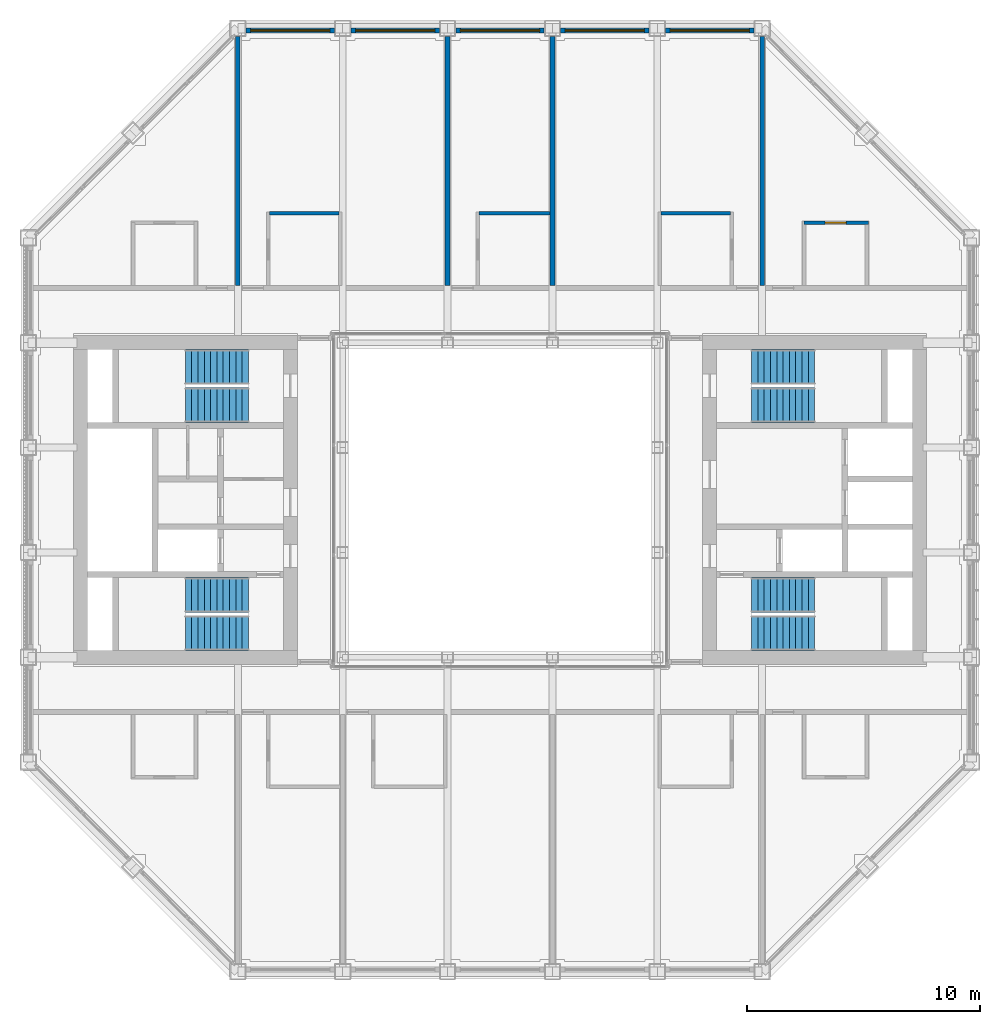
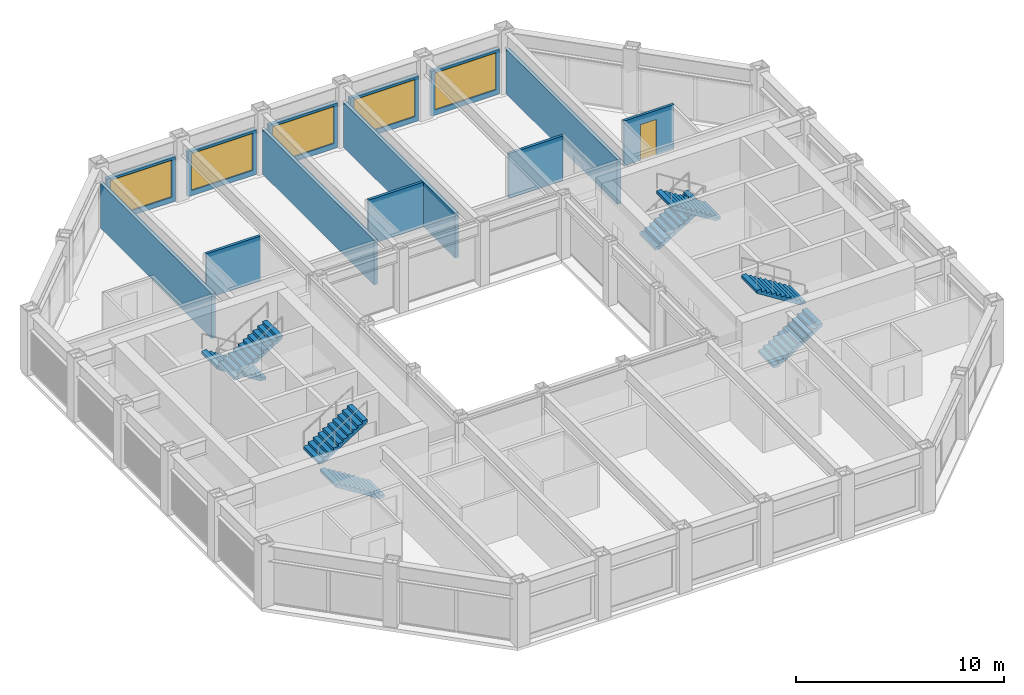
# One storey, part 12 of 16: 13 walls, 8 stair flights, 5 windows, 1 door, 6 openings, 4 elements without a shape of their own.
"""IFC4 building model written with IfcOpenShell, lengths in metres."""

from ifc_helpers import new_model, si_unit, direction, frame, frame_2d, origin, place, context, subcontext, project, spatial, polyline, rectangle, outline, extrude, material, layer, layer_set, type_object, element, fill, aggregate, save


model = new_model("IFC4")

# Units and contexts
model_context = context("Model", 3, precision=1e-05, world=origin(), true_north=direction((0.0, 1.0)))
body_context = subcontext(model_context, "Body", "Model", "MODEL_VIEW")
ifc_project = project(units=[si_unit("LENGTHUNIT", "METRE"), si_unit("AREAUNIT", "SQUARE_METRE"), si_unit("VOLUMEUNIT", "CUBIC_METRE"), si_unit("PLANEANGLEUNIT", "RADIAN"), si_unit("MASSUNIT", "GRAM", prefix="KILO")], contexts=[model_context])

# Site, building, storey
site_placement = place(None, origin())
site = spatial("IfcSite", under=ifc_project, at=site_placement, CompositionType="ELEMENT")
building_placement = place(site_placement, origin())
building = spatial("IfcBuilding", under=site, at=building_placement, Name="Msasa Ring Tower", CompositionType="ELEMENT")
storey_placement = place(building_placement, frame((0.0, 0.0, 215.800048828125)))
storey = spatial("IfcBuildingStorey", under=building, at=storey_placement, Name="L56", CompositionType="ELEMENT", Elevation=215.800048828125)

# Wall, opening, window
ifc_material_1 = material(Name="Terracotta rainscreen on blockwork", Category="masonry")
ifc_layer_1 = layer(ifc_material_1, 0.199951171875)
ifc_layer_set_1 = layer_set([ifc_layer_1], Name="FW1 TERRACOTTA-LINED INFILL BAY WALL 200")
wall_type_1 = type_object("IfcWallType", Name="FW1 TERRACOTTA-LINED INFILL BAY WALL 200", PredefinedType="SOLIDWALL", material=ifc_layer_set_1)
wall_1_placement = place(storey_placement, frame((-10.89501953125, 20.14990234375, 0.0), z_axis=(0.0, 0.0, 1.0), x_axis=(1.0, 0.0, 0.0)))
wall_1 = element("IfcWall", 1, at=wall_1_placement, inside=storey, type_object=wall_type_1, Name="Infill bay wall N L56 14", PredefinedType="SOLIDWALL", context=body_context, shape_type="SweptSolid", body=[
    extrude(rectangle(XDim=3.7900390625, YDim=0.199951171875, at=frame_2d((1.89501953125, 0.0))), origin(), (0.0, 0.0, 1.0), 2.62890625),
])
opening_1_placement = place(wall_1_placement, frame((0.195068359375, 0.0, 0.300048828125)))
opening_1 = element("IfcOpeningElement", 2, at=opening_1_placement, cuts=wall_1, Name="Opening WN3", PredefinedType="OPENING", context=body_context, shape_type="SweptSolid", body=[
    extrude(rectangle(XDim=3.39990234375, YDim=2.178955078125, at=frame_2d((1.699951171875, 1.08935546875))), frame((0.0, 0.10986328125, 0.0), z_axis=(0.0, -1.0, 0.0), x_axis=(1.0, 0.0, 0.0)), (0.0, 0.0, 1.0), 0.219970703125),
])
ifc_material_2 = material(Name="Aluminium frame with clear glass", Category="aluminium")
window_type = type_object("IfcWindowType", Name="WN3 SUITE WINDOW 3400x2179", PartitioningType="SINGLE_PANEL", PredefinedType="WINDOW", material=ifc_material_2)
window_1_placement = place(opening_1_placement, origin())
window_1 = element("IfcWindow", 3, at=window_1_placement, inside=storey, type_object=window_type, Name="Window N L56 14", OverallHeight=2.178955078125, OverallWidth=3.39990234375, PartitioningType="SINGLE_PANEL", PredefinedType="WINDOW", context=body_context, shape_type="SweptSolid", body=[
    extrude(rectangle(XDim=3.39990234375, YDim=2.178955078125, at=frame_2d((1.699951171875, 1.08935546875))), frame((0.0, 0.030029296875, 0.0), z_axis=(0.0, -1.0, 0.0), x_axis=(1.0, 0.0, 0.0)), (0.0, 0.0, 1.0), 0.06005859375),
])
fill(opening_1, window_1)

wall_2_placement = place(storey_placement, frame((-6.39501953125, 20.14990234375, 0.0), z_axis=(0.0, 0.0, 1.0), x_axis=(1.0, 0.0, 0.0)))
wall_2 = element("IfcWall", 4, at=wall_2_placement, inside=storey, type_object=wall_type_1, Name="Infill bay wall N L56 15", PredefinedType="SOLIDWALL", context=body_context, shape_type="SweptSolid", body=[
    extrude(rectangle(XDim=3.7900390625, YDim=0.199951171875, at=frame_2d((1.89501953125, 0.0))), origin(), (0.0, 0.0, 1.0), 2.62890625),
])
opening_2_placement = place(wall_2_placement, frame((0.195068359375, 0.0, 0.300048828125)))
opening_2 = element("IfcOpeningElement", 5, at=opening_2_placement, cuts=wall_2, Name="Opening WN3", PredefinedType="OPENING", context=body_context, shape_type="SweptSolid", body=[
    extrude(rectangle(XDim=3.39990234375, YDim=2.178955078125, at=frame_2d((1.699951171875, 1.08935546875))), frame((0.0, 0.10986328125, 0.0), z_axis=(0.0, -1.0, 0.0), x_axis=(1.0, 0.0, 0.0)), (0.0, 0.0, 1.0), 0.219970703125),
])
window_2_placement = place(opening_2_placement, origin())
window_2 = element("IfcWindow", 6, at=window_2_placement, inside=storey, type_object=window_type, Name="Window N L56 15", OverallHeight=2.178955078125, OverallWidth=3.39990234375, PartitioningType="SINGLE_PANEL", PredefinedType="WINDOW", context=body_context, shape_type="SweptSolid", body=[
    extrude(rectangle(XDim=3.39990234375, YDim=2.178955078125, at=frame_2d((1.699951171875, 1.08935546875))), frame((0.0, 0.030029296875, 0.0), z_axis=(0.0, -1.0, 0.0), x_axis=(1.0, 0.0, 0.0)), (0.0, 0.0, 1.0), 0.06005859375),
])
fill(opening_2, window_2)

wall_3_placement = place(storey_placement, frame((-1.89501953125, 20.14990234375, 0.0), z_axis=(0.0, 0.0, 1.0), x_axis=(1.0, 0.0, 0.0)))
wall_3 = element("IfcWall", 7, at=wall_3_placement, inside=storey, type_object=wall_type_1, Name="Infill bay wall N L56 16", PredefinedType="SOLIDWALL", context=body_context, shape_type="SweptSolid", body=[
    extrude(rectangle(XDim=3.7900390625, YDim=0.199951171875, at=frame_2d((1.89501953125, 0.0))), origin(), (0.0, 0.0, 1.0), 2.62890625),
])
opening_3_placement = place(wall_3_placement, frame((0.195068359375, 0.0, 0.300048828125)))
opening_3 = element("IfcOpeningElement", 8, at=opening_3_placement, cuts=wall_3, Name="Opening WN3", PredefinedType="OPENING", context=body_context, shape_type="SweptSolid", body=[
    extrude(rectangle(XDim=3.39990234375, YDim=2.178955078125, at=frame_2d((1.699951171875, 1.08935546875))), frame((0.0, 0.10986328125, 0.0), z_axis=(0.0, -1.0, 0.0), x_axis=(1.0, 0.0, 0.0)), (0.0, 0.0, 1.0), 0.219970703125),
])
window_3_placement = place(opening_3_placement, origin())
window_3 = element("IfcWindow", 9, at=window_3_placement, inside=storey, type_object=window_type, Name="Window N L56 16", OverallHeight=2.178955078125, OverallWidth=3.39990234375, PartitioningType="SINGLE_PANEL", PredefinedType="WINDOW", context=body_context, shape_type="SweptSolid", body=[
    extrude(rectangle(XDim=3.39990234375, YDim=2.178955078125, at=frame_2d((1.699951171875, 1.08935546875))), frame((0.0, 0.030029296875, 0.0), z_axis=(0.0, -1.0, 0.0), x_axis=(1.0, 0.0, 0.0)), (0.0, 0.0, 1.0), 0.06005859375),
])
fill(opening_3, window_3)

wall_4_placement = place(storey_placement, frame((2.60498046875, 20.14990234375, 0.0), z_axis=(0.0, 0.0, 1.0), x_axis=(1.0, 0.0, 0.0)))
wall_4 = element("IfcWall", 10, at=wall_4_placement, inside=storey, type_object=wall_type_1, Name="Infill bay wall N L56 17", PredefinedType="SOLIDWALL", context=body_context, shape_type="SweptSolid", body=[
    extrude(rectangle(XDim=3.7900390625, YDim=0.199951171875, at=frame_2d((1.89501953125, 0.0))), origin(), (0.0, 0.0, 1.0), 2.62890625),
])
opening_4_placement = place(wall_4_placement, frame((0.195068359375, 0.0, 0.300048828125)))
opening_4 = element("IfcOpeningElement", 11, at=opening_4_placement, cuts=wall_4, Name="Opening WN3", PredefinedType="OPENING", context=body_context, shape_type="SweptSolid", body=[
    extrude(rectangle(XDim=3.39990234375, YDim=2.178955078125, at=frame_2d((1.699951171875, 1.08935546875))), frame((0.0, 0.10986328125, 0.0), z_axis=(0.0, -1.0, 0.0), x_axis=(1.0, 0.0, 0.0)), (0.0, 0.0, 1.0), 0.219970703125),
])
window_4_placement = place(opening_4_placement, origin())
window_4 = element("IfcWindow", 12, at=window_4_placement, inside=storey, type_object=window_type, Name="Window N L56 17", OverallHeight=2.178955078125, OverallWidth=3.39990234375, PartitioningType="SINGLE_PANEL", PredefinedType="WINDOW", context=body_context, shape_type="SweptSolid", body=[
    extrude(rectangle(XDim=3.39990234375, YDim=2.178955078125, at=frame_2d((1.699951171875, 1.08935546875))), frame((0.0, 0.030029296875, 0.0), z_axis=(0.0, -1.0, 0.0), x_axis=(1.0, 0.0, 0.0)), (0.0, 0.0, 1.0), 0.06005859375),
])
fill(opening_4, window_4)

wall_5_placement = place(storey_placement, frame((7.10498046875, 20.14990234375, 0.0), z_axis=(0.0, 0.0, 1.0), x_axis=(1.0, 0.0, 0.0)))
wall_5 = element("IfcWall", 13, at=wall_5_placement, inside=storey, type_object=wall_type_1, Name="Infill bay wall N L56 18", PredefinedType="SOLIDWALL", context=body_context, shape_type="SweptSolid", body=[
    extrude(rectangle(XDim=3.7900390625, YDim=0.199951171875, at=frame_2d((1.89501953125, 0.0))), origin(), (0.0, 0.0, 1.0), 2.62890625),
])
opening_5_placement = place(wall_5_placement, frame((0.195068359375, 0.0, 0.300048828125)))
opening_5 = element("IfcOpeningElement", 14, at=opening_5_placement, cuts=wall_5, Name="Opening WN3", PredefinedType="OPENING", context=body_context, shape_type="SweptSolid", body=[
    extrude(rectangle(XDim=3.39990234375, YDim=2.178955078125, at=frame_2d((1.699951171875, 1.08935546875))), frame((0.0, 0.10986328125, 0.0), z_axis=(0.0, -1.0, 0.0), x_axis=(1.0, 0.0, 0.0)), (0.0, 0.0, 1.0), 0.219970703125),
])
window_5_placement = place(opening_5_placement, origin())
window_5 = element("IfcWindow", 15, at=window_5_placement, inside=storey, type_object=window_type, Name="Window N L56 18", OverallHeight=2.178955078125, OverallWidth=3.39990234375, PartitioningType="SINGLE_PANEL", PredefinedType="WINDOW", context=body_context, shape_type="SweptSolid", body=[
    extrude(rectangle(XDim=3.39990234375, YDim=2.178955078125, at=frame_2d((1.699951171875, 1.08935546875))), frame((0.0, 0.030029296875, 0.0), z_axis=(0.0, -1.0, 0.0), x_axis=(1.0, 0.0, 0.0)), (0.0, 0.0, 1.0), 0.06005859375),
])
fill(opening_5, window_5)

# Walls
ifc_material_3 = material(Name="Dense concrete blockwork, plastered both faces", Category="masonry")
ifc_layer_2 = layer(ifc_material_3, 0.25)
ifc_layer_set_2 = layer_set([ifc_layer_2], Name="PT3 APARTMENT SEPARATING WALL 250")
wall_type_2 = type_object("IfcWallType", Name="PT3 APARTMENT SEPARATING WALL 250", PredefinedType="PARTITIONING", material=ifc_layer_set_2)
for number, where, z_axis, x_axis, name in (
    (16, (-11.25, 9.199951171875, 0.0), (0.0, 0.0, 1.0), (0.0, 1.0, 0.0), "Party wall L56-PWN-11.25"),
    (17, (-2.25, 9.199951171875, 0.0), (0.0, 0.0, 1.0), (0.0, 1.0, 0.0), "Party wall L56-PWN-2.25"),
    (18, (2.25, 9.199951171875, 0.0), (0.0, 0.0, 1.0), (0.0, 1.0, 0.0), "Party wall L56-PWN+2.25"),
    (19, (11.25, 9.199951171875, 0.0), (0.0, 0.0, 1.0), (0.0, 1.0, 0.0), "Party wall L56-PWN+11.25"),
):
    element("IfcWall", number, at=place(storey_placement, frame(where, z_axis=z_axis, x_axis=x_axis)), inside=storey, type_object=wall_type_2, Name=name, PredefinedType="PARTITIONING", context=body_context, shape_type="SweptSolid", body=[
        extrude(rectangle(XDim=10.699951171875, YDim=0.199951171875, at=frame_2d((5.35009765625, 0.0))), origin(), (0.0, 0.0, 1.0), 2.62890625),
    ])
ifc_material_4 = material(Name="Moisture-resistant board on steel studs with a concealed cistern and pipe void, tiled", Category="steel")
ifc_layer_3 = layer(ifc_material_4, 0.14990234375)
ifc_layer_set_3 = layer_set([ifc_layer_3], Name="PT4 BATHROOM WET WALL 150")
wall_type_3 = type_object("IfcWallType", Name="PT4 BATHROOM WET WALL 150", PredefinedType="PARTITIONING", material=ifc_layer_set_3)
wall_6_placement = place(storey_placement, frame((-9.89990234375, 12.300048828125, 0.0), z_axis=(0.0, 0.0, 1.0), x_axis=(1.0, 0.0, 0.0)))
element("IfcWall", 20, at=wall_6_placement, inside=storey, type_object=wall_type_3, Name="Partition L56-JN00BY", PredefinedType="PARTITIONING", context=body_context, shape_type="SweptSolid", body=[
    extrude(rectangle(XDim=3.0, YDim=0.14990234375, at=frame_2d((1.5, 0.0))), origin(), (0.0, 0.0, 1.0), 2.62890625),
])
wall_7_placement = place(storey_placement, frame((-0.89990234375, 12.300048828125, 0.0), z_axis=(0.0, 0.0, 1.0), x_axis=(1.0, 0.0, 0.0)))
element("IfcWall", 21, at=wall_7_placement, inside=storey, type_object=wall_type_3, Name="Partition L56-JN01BY", PredefinedType="PARTITIONING", context=body_context, shape_type="SweptSolid", body=[
    extrude(rectangle(XDim=3.0498046875, YDim=0.14990234375, at=frame_2d((1.52490234375, 0.0))), origin(), (0.0, 0.0, 1.0), 2.62890625),
])
wall_8_placement = place(storey_placement, frame((6.89990234375, 12.300048828125, 0.0), z_axis=(0.0, 0.0, 1.0), x_axis=(1.0, 0.0, 0.0)))
element("IfcWall", 22, at=wall_8_placement, inside=storey, type_object=wall_type_3, Name="Partition L56-JN02BY", PredefinedType="PARTITIONING", context=body_context, shape_type="SweptSolid", body=[
    extrude(rectangle(XDim=3.0, YDim=0.14990234375, at=frame_2d((1.5, 0.0))), origin(), (0.0, 0.0, 1.0), 2.62890625),
])

# Wall, opening, door
wall_9_placement = place(storey_placement, frame((13.050048828125, 11.89990234375, 0.0), z_axis=(0.0, 0.0, 1.0), x_axis=(1.0, 0.0, 0.0)))
wall_9 = element("IfcWall", 23, at=wall_9_placement, inside=storey, type_object=wall_type_3, Name="Partition L56-CSNEBY", PredefinedType="PARTITIONING", context=body_context, shape_type="SweptSolid", body=[
    extrude(rectangle(XDim=2.77490234375, YDim=0.14990234375, at=frame_2d((1.387451171875, 0.0))), origin(), (0.0, 0.0, 1.0), 2.62890625),
])
opening_6_placement = place(wall_9_placement, frame((0.89990234375, 0.0, 0.0)))
opening_6 = element("IfcOpeningElement", 24, at=opening_6_placement, cuts=wall_9, Name="Opening SB-002", PredefinedType="OPENING", context=body_context, shape_type="SweptSolid", body=[
    extrude(rectangle(XDim=0.89990234375, YDim=2.10009765625, at=frame_2d((0.449951171875, 1.050048828125))), frame((0.0, 0.0849609375, 0.0), z_axis=(0.0, -1.0, 0.0), x_axis=(1.0, 0.0, 0.0)), (0.0, 0.0, 1.0), 0.169921875),
])
ifc_material_5 = material(Name="Timber door leaf in a steel frame", Category="steel")
door_type = type_object("IfcDoorType", Name="D3 BATHROOM DOOR 900x2100", OperationType="SINGLE_SWING_LEFT", PredefinedType="DOOR", material=ifc_material_5)
door_placement = place(opening_6_placement, origin())
door = element("IfcDoor", 25, at=door_placement, inside=storey, type_object=door_type, Name="Door L56-CSNEB1", OperationType="SINGLE_SWING_LEFT", OverallHeight=2.10009765625, OverallWidth=0.89990234375, PredefinedType="DOOR", context=body_context, shape_type="SweptSolid", body=[
    extrude(rectangle(XDim=0.89990234375, YDim=2.10009765625, at=frame_2d((0.449951171875, 1.050048828125))), frame((0.0, 0.02490234375, 0.0), z_axis=(0.0, -1.0, 0.0), x_axis=(1.0, 0.0, 0.0)), (0.0, 0.0, 1.0), 0.050048828125),
])
fill(opening_6, door)

# Stair, stair flights
ifc_material_6 = material(Name="Concrete C40/50", Category="concrete")
stair_type = type_object("IfcStairType", Name="STC CORE STAIR 22 RISERS 170.5", PredefinedType="HALF_TURN_STAIR", material=ifc_material_6)
stair_1_placement = place(storey_placement, origin())
stair_1 = element("IfcStair", 26, at=stair_1_placement, inside=storey, type_object=stair_type, Name="Core stair SEA L56", PredefinedType="HALF_TURN_STAIR")
ifc_material_7 = material(Name="Concrete C40/50", Category="concrete")
stair_flight_type = type_object("IfcStairFlightType", Name="ST11 CORE STAIR FLIGHT 1500 11 RISERS 170.5", PredefinedType="STRAIGHT", material=ifc_material_7)
stair_flight_1_placement = place(storey_placement, frame((10.800048828125, -5.699951171875, 0.0), z_axis=(0.0, 0.0, 1.0), x_axis=(1.0, 0.0, 0.0)))
stair_flight_1 = element("IfcStairFlight", 27, at=stair_flight_1_placement, type_object=stair_flight_type, Name="SEA flight 1", NumberOfRisers=11, NumberOfTreads=10, PredefinedType="STRAIGHT", RiserHeight=0.170454545, TreadLength=0.27, context=body_context, shape_type="SweptSolid", body=[
    extrude(outline(polyline([(0.0, 0.0), (0.0, 0.17041015625), (0.27001953125, 0.17041015625), (0.27001953125, 0.3408203125), (0.5400390625, 0.3408203125), (0.5400390625, 0.511474609375), (0.81005859375, 0.511474609375), (0.81005859375, 0.681884765625), (1.080078125, 0.681884765625), (1.080078125, 0.852294921875), (1.35009765625, 0.852294921875), (1.35009765625, 1.022705078125), (1.6201171875, 1.022705078125), (1.6201171875, 1.193115234375), (1.889892578125, 1.193115234375), (1.889892578125, 1.363525390625), (2.159912109375, 1.363525390625), (2.159912109375, 1.5341796875), (2.429931640625, 1.5341796875), (2.429931640625, 1.70458984375), (2.699951171875, 1.70458984375), (2.699951171875, 1.875), (2.699951171875, 1.52734375), (0.28076171875, 0.0), (0.0, 0.0)])), frame((0.0, 0.75, 0.0), z_axis=(0.0, -1.0, 0.0), x_axis=(1.0, 0.0, 0.0)), (0.0, 0.0, 1.0), 1.5),
])
stair_flight_2_placement = place(storey_placement, frame((13.5, -4.074951171875, 1.875), z_axis=(0.0, 0.0, 1.0), x_axis=(-1.0, 0.0, 0.0)))
stair_flight_2 = element("IfcStairFlight", 28, at=stair_flight_2_placement, type_object=stair_flight_type, Name="SEA flight 2", NumberOfRisers=11, NumberOfTreads=10, PredefinedType="STRAIGHT", RiserHeight=0.170454545, TreadLength=0.27, context=body_context, shape_type="SweptSolid", body=[
    extrude(outline(polyline([(0.0, 0.0), (0.0, 0.17041015625), (0.27001953125, 0.17041015625), (0.27001953125, 0.3408203125), (0.5400390625, 0.3408203125), (0.5400390625, 0.511474609375), (0.81005859375, 0.511474609375), (0.81005859375, 0.681884765625), (1.080078125, 0.681884765625), (1.080078125, 0.852294921875), (1.35009765625, 0.852294921875), (1.35009765625, 1.022705078125), (1.6201171875, 1.022705078125), (1.6201171875, 1.193115234375), (1.889892578125, 1.193115234375), (1.889892578125, 1.363525390625), (2.159912109375, 1.363525390625), (2.159912109375, 1.5341796875), (2.429931640625, 1.5341796875), (2.429931640625, 1.70458984375), (2.699951171875, 1.70458984375), (2.699951171875, 1.875), (2.699951171875, 1.52734375), (0.28076171875, 0.0), (0.0, 0.0)])), frame((0.0, 0.75, 0.0), z_axis=(0.0, -1.0, 0.0), x_axis=(1.0, 0.0, 0.0)), (0.0, 0.0, 1.0), 1.5),
])
aggregate(stair_1, [stair_flight_1, stair_flight_2])

stair_2_placement = place(storey_placement, origin())
stair_2 = element("IfcStair", 29, at=stair_2_placement, inside=storey, type_object=stair_type, Name="Core stair SEB L56", PredefinedType="HALF_TURN_STAIR")
stair_flight_3_placement = place(storey_placement, frame((10.800048828125, 5.699951171875, 0.0), z_axis=(0.0, 0.0, 1.0), x_axis=(1.0, 0.0, 0.0)))
stair_flight_3 = element("IfcStairFlight", 30, at=stair_flight_3_placement, type_object=stair_flight_type, Name="SEB flight 1", NumberOfRisers=11, NumberOfTreads=10, PredefinedType="STRAIGHT", RiserHeight=0.170454545, TreadLength=0.27, context=body_context, shape_type="SweptSolid", body=[
    extrude(outline(polyline([(0.0, 0.0), (0.0, 0.17041015625), (0.27001953125, 0.17041015625), (0.27001953125, 0.3408203125), (0.5400390625, 0.3408203125), (0.5400390625, 0.511474609375), (0.81005859375, 0.511474609375), (0.81005859375, 0.681884765625), (1.080078125, 0.681884765625), (1.080078125, 0.852294921875), (1.35009765625, 0.852294921875), (1.35009765625, 1.022705078125), (1.6201171875, 1.022705078125), (1.6201171875, 1.193115234375), (1.889892578125, 1.193115234375), (1.889892578125, 1.363525390625), (2.159912109375, 1.363525390625), (2.159912109375, 1.5341796875), (2.429931640625, 1.5341796875), (2.429931640625, 1.70458984375), (2.699951171875, 1.70458984375), (2.699951171875, 1.875), (2.699951171875, 1.52734375), (0.28076171875, 0.0), (0.0, 0.0)])), frame((0.0, 0.75, 0.0), z_axis=(0.0, -1.0, 0.0), x_axis=(1.0, 0.0, 0.0)), (0.0, 0.0, 1.0), 1.5),
])
stair_flight_4_placement = place(storey_placement, frame((13.5, 4.074951171875, 1.875), z_axis=(0.0, 0.0, 1.0), x_axis=(-1.0, 0.0, 0.0)))
stair_flight_4 = element("IfcStairFlight", 31, at=stair_flight_4_placement, type_object=stair_flight_type, Name="SEB flight 2", NumberOfRisers=11, NumberOfTreads=10, PredefinedType="STRAIGHT", RiserHeight=0.170454545, TreadLength=0.27, context=body_context, shape_type="SweptSolid", body=[
    extrude(outline(polyline([(0.0, 0.0), (0.0, 0.17041015625), (0.27001953125, 0.17041015625), (0.27001953125, 0.3408203125), (0.5400390625, 0.3408203125), (0.5400390625, 0.511474609375), (0.81005859375, 0.511474609375), (0.81005859375, 0.681884765625), (1.080078125, 0.681884765625), (1.080078125, 0.852294921875), (1.35009765625, 0.852294921875), (1.35009765625, 1.022705078125), (1.6201171875, 1.022705078125), (1.6201171875, 1.193115234375), (1.889892578125, 1.193115234375), (1.889892578125, 1.363525390625), (2.159912109375, 1.363525390625), (2.159912109375, 1.5341796875), (2.429931640625, 1.5341796875), (2.429931640625, 1.70458984375), (2.699951171875, 1.70458984375), (2.699951171875, 1.875), (2.699951171875, 1.52734375), (0.28076171875, 0.0), (0.0, 0.0)])), frame((0.0, 0.75, 0.0), z_axis=(0.0, -1.0, 0.0), x_axis=(1.0, 0.0, 0.0)), (0.0, 0.0, 1.0), 1.5),
])
aggregate(stair_2, [stair_flight_3, stair_flight_4])

stair_3_placement = place(storey_placement, origin())
stair_3 = element("IfcStair", 32, at=stair_3_placement, inside=storey, type_object=stair_type, Name="Core stair SWA L56", PredefinedType="HALF_TURN_STAIR")
stair_flight_5_placement = place(storey_placement, frame((-10.800048828125, -5.699951171875, 0.0), z_axis=(0.0, 0.0, 1.0), x_axis=(-1.0, 0.0, 0.0)))
stair_flight_5 = element("IfcStairFlight", 33, at=stair_flight_5_placement, type_object=stair_flight_type, Name="SWA flight 1", NumberOfRisers=11, NumberOfTreads=10, PredefinedType="STRAIGHT", RiserHeight=0.170454545, TreadLength=0.27, context=body_context, shape_type="SweptSolid", body=[
    extrude(outline(polyline([(0.0, 0.0), (0.0, 0.17041015625), (0.27001953125, 0.17041015625), (0.27001953125, 0.3408203125), (0.5400390625, 0.3408203125), (0.5400390625, 0.511474609375), (0.81005859375, 0.511474609375), (0.81005859375, 0.681884765625), (1.080078125, 0.681884765625), (1.080078125, 0.852294921875), (1.35009765625, 0.852294921875), (1.35009765625, 1.022705078125), (1.6201171875, 1.022705078125), (1.6201171875, 1.193115234375), (1.889892578125, 1.193115234375), (1.889892578125, 1.363525390625), (2.159912109375, 1.363525390625), (2.159912109375, 1.5341796875), (2.429931640625, 1.5341796875), (2.429931640625, 1.70458984375), (2.699951171875, 1.70458984375), (2.699951171875, 1.875), (2.699951171875, 1.52734375), (0.28076171875, 0.0), (0.0, 0.0)])), frame((0.0, 0.75, 0.0), z_axis=(0.0, -1.0, 0.0), x_axis=(1.0, 0.0, 0.0)), (0.0, 0.0, 1.0), 1.5),
])
stair_flight_6_placement = place(storey_placement, frame((-13.5, -4.074951171875, 1.875), z_axis=(0.0, 0.0, 1.0), x_axis=(1.0, 0.0, 0.0)))
stair_flight_6 = element("IfcStairFlight", 34, at=stair_flight_6_placement, type_object=stair_flight_type, Name="SWA flight 2", NumberOfRisers=11, NumberOfTreads=10, PredefinedType="STRAIGHT", RiserHeight=0.170454545, TreadLength=0.27, context=body_context, shape_type="SweptSolid", body=[
    extrude(outline(polyline([(0.0, 0.0), (0.0, 0.17041015625), (0.27001953125, 0.17041015625), (0.27001953125, 0.3408203125), (0.5400390625, 0.3408203125), (0.5400390625, 0.511474609375), (0.81005859375, 0.511474609375), (0.81005859375, 0.681884765625), (1.080078125, 0.681884765625), (1.080078125, 0.852294921875), (1.35009765625, 0.852294921875), (1.35009765625, 1.022705078125), (1.6201171875, 1.022705078125), (1.6201171875, 1.193115234375), (1.889892578125, 1.193115234375), (1.889892578125, 1.363525390625), (2.159912109375, 1.363525390625), (2.159912109375, 1.5341796875), (2.429931640625, 1.5341796875), (2.429931640625, 1.70458984375), (2.699951171875, 1.70458984375), (2.699951171875, 1.875), (2.699951171875, 1.52734375), (0.28076171875, 0.0), (0.0, 0.0)])), frame((0.0, 0.75, 0.0), z_axis=(0.0, -1.0, 0.0), x_axis=(1.0, 0.0, 0.0)), (0.0, 0.0, 1.0), 1.5),
])
aggregate(stair_3, [stair_flight_5, stair_flight_6])

stair_4_placement = place(storey_placement, origin())
stair_4 = element("IfcStair", 35, at=stair_4_placement, inside=storey, type_object=stair_type, Name="Core stair SWB L56", PredefinedType="HALF_TURN_STAIR")
stair_flight_7_placement = place(storey_placement, frame((-10.800048828125, 5.699951171875, 0.0), z_axis=(0.0, 0.0, 1.0), x_axis=(-1.0, 0.0, 0.0)))
stair_flight_7 = element("IfcStairFlight", 36, at=stair_flight_7_placement, type_object=stair_flight_type, Name="SWB flight 1", NumberOfRisers=11, NumberOfTreads=10, PredefinedType="STRAIGHT", RiserHeight=0.170454545, TreadLength=0.27, context=body_context, shape_type="SweptSolid", body=[
    extrude(outline(polyline([(0.0, 0.0), (0.0, 0.17041015625), (0.27001953125, 0.17041015625), (0.27001953125, 0.3408203125), (0.5400390625, 0.3408203125), (0.5400390625, 0.511474609375), (0.81005859375, 0.511474609375), (0.81005859375, 0.681884765625), (1.080078125, 0.681884765625), (1.080078125, 0.852294921875), (1.35009765625, 0.852294921875), (1.35009765625, 1.022705078125), (1.6201171875, 1.022705078125), (1.6201171875, 1.193115234375), (1.889892578125, 1.193115234375), (1.889892578125, 1.363525390625), (2.159912109375, 1.363525390625), (2.159912109375, 1.5341796875), (2.429931640625, 1.5341796875), (2.429931640625, 1.70458984375), (2.699951171875, 1.70458984375), (2.699951171875, 1.875), (2.699951171875, 1.52734375), (0.28076171875, 0.0), (0.0, 0.0)])), frame((0.0, 0.75, 0.0), z_axis=(0.0, -1.0, 0.0), x_axis=(1.0, 0.0, 0.0)), (0.0, 0.0, 1.0), 1.5),
])
stair_flight_8_placement = place(storey_placement, frame((-13.5, 4.074951171875, 1.875), z_axis=(0.0, 0.0, 1.0), x_axis=(1.0, 0.0, 0.0)))
stair_flight_8 = element("IfcStairFlight", 37, at=stair_flight_8_placement, type_object=stair_flight_type, Name="SWB flight 2", NumberOfRisers=11, NumberOfTreads=10, PredefinedType="STRAIGHT", RiserHeight=0.170454545, TreadLength=0.27, context=body_context, shape_type="SweptSolid", body=[
    extrude(outline(polyline([(0.0, 0.0), (0.0, 0.17041015625), (0.27001953125, 0.17041015625), (0.27001953125, 0.3408203125), (0.5400390625, 0.3408203125), (0.5400390625, 0.511474609375), (0.81005859375, 0.511474609375), (0.81005859375, 0.681884765625), (1.080078125, 0.681884765625), (1.080078125, 0.852294921875), (1.35009765625, 0.852294921875), (1.35009765625, 1.022705078125), (1.6201171875, 1.022705078125), (1.6201171875, 1.193115234375), (1.889892578125, 1.193115234375), (1.889892578125, 1.363525390625), (2.159912109375, 1.363525390625), (2.159912109375, 1.5341796875), (2.429931640625, 1.5341796875), (2.429931640625, 1.70458984375), (2.699951171875, 1.70458984375), (2.699951171875, 1.875), (2.699951171875, 1.52734375), (0.28076171875, 0.0), (0.0, 0.0)])), frame((0.0, 0.75, 0.0), z_axis=(0.0, -1.0, 0.0), x_axis=(1.0, 0.0, 0.0)), (0.0, 0.0, 1.0), 1.5),
])
aggregate(stair_4, [stair_flight_7, stair_flight_8])

save(model, "model.ifc")
